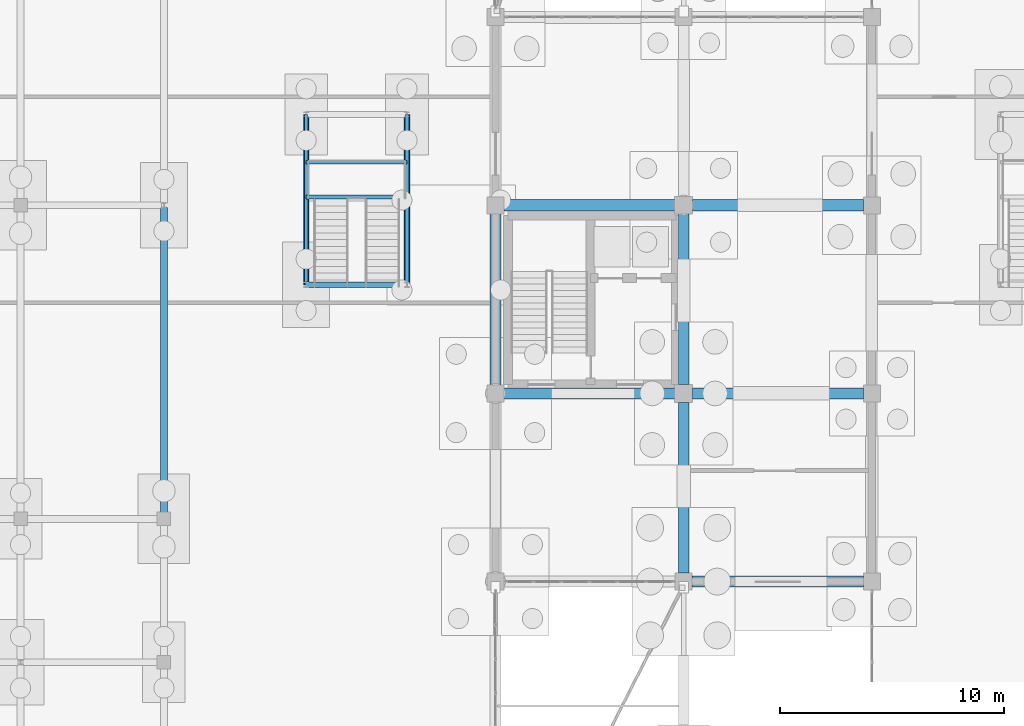
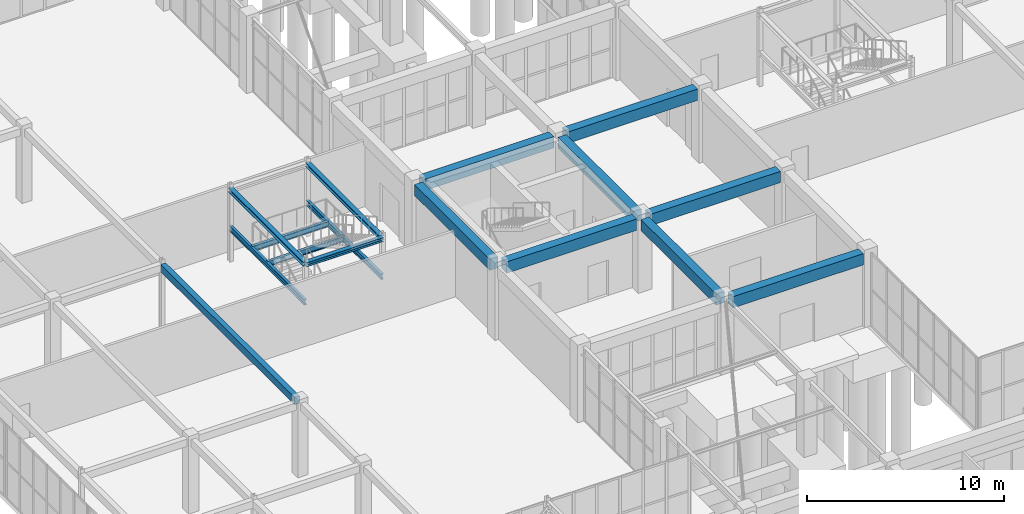
# One storey, part 66 of 192: 16 beams.
"""IFC4 building model written with IfcOpenShell, lengths in metres."""

from ifc_helpers import new_model, si_unit, direction, frame, origin, origin_2d, place, context, subcontext, project, spatial, rectangle, i_section, extrude, material, material_profile, profile_set, type_object, element, save


model = new_model("IFC4")

# Units and contexts
model_context = context("Model", 3, precision=1e-05, world=origin(), true_north=direction((0.0, 1.0)))
body_context = subcontext(model_context, "Body", "Model", "MODEL_VIEW")
ifc_project = project(units=[si_unit("LENGTHUNIT", "METRE"), si_unit("AREAUNIT", "SQUARE_METRE"), si_unit("VOLUMEUNIT", "CUBIC_METRE"), si_unit("PLANEANGLEUNIT", "RADIAN"), si_unit("MASSUNIT", "GRAM", prefix="KILO")], contexts=[model_context])

# Site, building, storey
site_placement = place(None, origin())
site = spatial("IfcSite", under=ifc_project, at=site_placement, CompositionType="ELEMENT")
building_placement = place(site_placement, origin())
building = spatial("IfcBuilding", under=site, at=building_placement, Name="Trelvath General Hospital", CompositionType="ELEMENT")
storey_placement = place(building_placement, origin())
storey = spatial("IfcBuildingStorey", under=building, at=storey_placement, Name="L00", CompositionType="ELEMENT", Elevation=0.0)

# Beams
ifc_material_1 = material(Name="Concrete C35/45", Category="concrete")
ifc_material_profile_1 = material_profile(ifc_material_1, rectangle(XDim=0.300048828125, YDim=0.449951171875, at=origin_2d()), Name="RCB300x450")
ifc_profile_set_1 = profile_set([ifc_material_profile_1], Name="Concrete C35/45")
beam_type_1 = type_object("IfcBeamType", Name="Beam RC300x450", PredefinedType="BEAM", material=ifc_profile_set_1)
beam_1_placement = place(storey_placement, frame((60.800048828125, 45.095947265625, 4.3349609375), z_axis=(0.0, 1.0, 0.0), x_axis=(-1.0, 0.0, 0.0)))
element("IfcBeam", 1, at=beam_1_placement, inside=storey, type_object=beam_type_1, Name="Cube Interior Ring Beam CUBE-W-T0 L00", PredefinedType="BEAM", context=body_context, shape_type="SweptSolid", body=[
    extrude(rectangle(XDim=0.300048828125, YDim=0.449951171875, at=origin_2d()), origin(), (0.0, 0.0, 1.0), 13.59814453125),
])
ifc_material_2 = material(Name="Concrete C35/45", Category="concrete")
ifc_material_profile_2 = material_profile(ifc_material_2, rectangle(XDim=0.47998046875, YDim=0.679931640625, at=origin_2d()), Name="RCB480x680")
ifc_profile_set_2 = profile_set([ifc_material_profile_2], Name="Concrete C35/45")
beam_type_2 = type_object("IfcBeamType", Name="Beam RC480x680", PredefinedType="BEAM", material=ifc_profile_set_2)
beam_2_placement = place(storey_placement, frame((75.60009765625, 50.77490234375, 4.179931640625), z_axis=(0.0, 1.0, 0.0), x_axis=(-1.0, 0.0, 0.0)))
element("IfcBeam", 2, at=beam_2_placement, inside=storey, type_object=beam_type_2, Name="Grid Beam BY-009G", PredefinedType="BEAM", context=body_context, shape_type="SweptSolid", body=[
    extrude(rectangle(XDim=0.47998046875, YDim=0.679931640625, at=origin_2d()), origin(), (0.0, 0.0, 1.0), 7.650146484375),
])
beam_3_placement = place(storey_placement, frame((84.0, 42.375, 4.179931640625), z_axis=(0.0, 1.0, 0.0), x_axis=(-1.0, 0.0, 0.0)))
element("IfcBeam", 3, at=beam_3_placement, inside=storey, type_object=beam_type_2, Name="Grid Beam BY-010F", PredefinedType="BEAM", context=body_context, shape_type="SweptSolid", body=[
    extrude(rectangle(XDim=0.47998046875, YDim=0.679931640625, at=origin_2d()), origin(), (0.0, 0.0, 1.0), 7.6298828125),
])
beam_4_placement = place(storey_placement, frame((84.0, 50.794921875, 4.179931640625), z_axis=(0.0, 1.0, 0.0), x_axis=(-1.0, 0.0, 0.0)))
element("IfcBeam", 4, at=beam_4_placement, inside=storey, type_object=beam_type_2, Name="Grid Beam BY-010G", PredefinedType="BEAM", context=body_context, shape_type="SweptSolid", body=[
    extrude(rectangle(XDim=0.47998046875, YDim=0.679931640625, at=origin_2d()), origin(), (0.0, 0.0, 1.0), 7.610107421875),
])
ifc_material_3 = material(Name="Concrete C35/45", Category="concrete")
ifc_material_profile_3 = material_profile(ifc_material_3, rectangle(XDim=0.5, YDim=0.699951171875, at=origin_2d()), Name="RCB500x700")
ifc_profile_set_3 = profile_set([ifc_material_profile_3], Name="Concrete C35/45")
beam_type_3 = type_object("IfcBeamType", Name="Beam RC500x700", PredefinedType="BEAM", material=ifc_profile_set_3)
for number, where, z_axis, x_axis, name in (
    (5, (75.97509765625, 50.39990234375, 4.169921875), (1.0, 0.0, 0.0), (0.0, 1.0, 0.0), "Grid Beam BX-009G"),
    (6, (75.97509765625, 58.800048828125, 4.169921875), (1.0, 0.0, 0.0), (0.0, 1.0, 0.0), "Grid Beam BX-009H"),
):
    element("IfcBeam", number, at=place(storey_placement, frame(where, z_axis=z_axis, x_axis=x_axis)), inside=storey, type_object=beam_type_3, Name=name, PredefinedType="BEAM", context=body_context, shape_type="SweptSolid", body=[
        extrude(rectangle(XDim=0.5, YDim=0.699951171875, at=origin_2d()), origin(), (0.0, 0.0, 1.0), 7.6298828125),
    ])
beam_5_placement = place(storey_placement, frame((84.375, 42.0, 4.169921875), z_axis=(1.0, 0.0, 0.0), x_axis=(0.0, 1.0, 0.0)))
element("IfcBeam", 7, at=beam_5_placement, inside=storey, type_object=beam_type_3, Name="Grid Beam BX-010F", PredefinedType="BEAM", context=body_context, shape_type="SweptSolid", body=[
    extrude(rectangle(XDim=0.5, YDim=0.699951171875, at=origin_2d()), origin(), (0.0, 0.0, 1.0), 7.64990234375),
])
for number, where, z_axis, x_axis, name in (
    (8, (84.39501953125, 50.39990234375, 4.169921875), (1.0, 0.0, 0.0), (0.0, 1.0, 0.0), "Grid Beam BX-010G"),
    (9, (84.39501953125, 58.800048828125, 4.169921875), (1.0, 0.0, 0.0), (0.0, 1.0, 0.0), "Grid Beam BX-010H"),
):
    element("IfcBeam", number, at=place(storey_placement, frame(where, z_axis=z_axis, x_axis=x_axis)), inside=storey, type_object=beam_type_3, Name=name, PredefinedType="BEAM", context=body_context, shape_type="SweptSolid", body=[
        extrude(rectangle(XDim=0.5, YDim=0.699951171875, at=origin_2d()), origin(), (0.0, 0.0, 1.0), 7.6298828125),
    ])
ifc_material_4 = material(Name="Steel S355", Category="steel")
ifc_material_profile_4 = material_profile(ifc_material_4, i_section(OverallWidth=0.260009765625, OverallDepth=0.25, WebThickness=0.007568359375, FlangeThickness=0.012451171875, at=origin_2d()), Name="HEA260")
ifc_profile_set_4 = profile_set([ifc_material_profile_4], Name="Steel S355")
beam_type_4 = type_object("IfcBeamType", Name="RingBeam HEA260", PredefinedType="BEAM", material=ifc_profile_set_4)
beam_6_placement = place(storey_placement, frame((67.14990234375, 55.25, 4.4150390625), z_axis=(1.0, 0.0, 0.0), x_axis=(0.0, 1.0, 0.0)))
element("IfcBeam", 10, at=beam_6_placement, inside=storey, type_object=beam_type_4, Name="Atrium Ring Beam CUBE-W S L00", PredefinedType="BEAM", context=body_context, shape_type="SweptSolid", body=[
    extrude(i_section(OverallWidth=0.260009765625, OverallDepth=0.25, WebThickness=0.007568359375, FlangeThickness=0.012451171875, at=origin_2d()), origin(), (0.0, 0.0, 1.0), 4.5),
])
for number, where, z_axis, x_axis, name in (
    (11, (67.14990234375, 55.25, 4.4150390625), (0.0, 1.0, 0.0), (-1.0, 0.0, 0.0), "Atrium Ring Beam CUBE-W W L00"),
    (12, (71.64990234375, 55.25, 4.4150390625), (0.0, 1.0, 0.0), (-1.0, 0.0, 0.0), "Atrium Ring Beam CUBE-W E L00"),
):
    element("IfcBeam", number, at=place(storey_placement, frame(where, z_axis=z_axis, x_axis=x_axis)), inside=storey, type_object=beam_type_4, Name=name, PredefinedType="BEAM", context=body_context, shape_type="SweptSolid", body=[
        extrude(i_section(OverallWidth=0.260009765625, OverallDepth=0.25, WebThickness=0.007568359375, FlangeThickness=0.012451171875, at=origin_2d()), origin(), (0.0, 0.0, 1.0), 7.60009765625),
    ])
ifc_material_5 = material(Name="Steel S355", Category="steel")
ifc_material_profile_5 = material_profile(ifc_material_5, i_section(OverallWidth=0.159912109375, OverallDepth=0.330078125, WebThickness=0.007568359375, FlangeThickness=0.011474609375, at=origin_2d()), Name="IPE330")
ifc_profile_set_5 = profile_set([ifc_material_profile_5], Name="Steel S355")
beam_type_5 = type_object("IfcBeamType", Name="StairLandingBeam IPE330", PredefinedType="BEAM", material=ifc_profile_set_5)
for number, where, z_axis, x_axis, name in (
    (13, (67.14990234375, 55.25, 2.034912109375), (0.0, 1.0, 0.0), (-1.0, 0.0, 0.0), "Cube Stair Stringer Beam CUBE-W W L00"),
    (14, (71.64990234375, 55.25, 2.034912109375), (0.0, 1.0, 0.0), (-1.0, 0.0, 0.0), "Cube Stair Stringer Beam CUBE-W E L00"),
):
    element("IfcBeam", number, at=place(storey_placement, frame(where, z_axis=z_axis, x_axis=x_axis)), inside=storey, type_object=beam_type_5, Name=name, PredefinedType="BEAM", context=body_context, shape_type="SweptSolid", body=[
        extrude(i_section(OverallWidth=0.159912109375, OverallDepth=0.330078125, WebThickness=0.007568359375, FlangeThickness=0.011474609375, at=origin_2d()), origin(), (0.0, 0.0, 1.0), 7.60009765625),
    ])
for number, where, z_axis, x_axis, name in (
    (15, (67.14990234375, 59.169921875, 2.034912109375), (1.0, 0.0, 0.0), (0.0, 1.0, 0.0), "Cube Landing Cross Beam CUBE-W S L00"),
    (16, (67.14990234375, 60.719970703125, 2.034912109375), (1.0, 0.0, 0.0), (0.0, 1.0, 0.0), "Cube Landing Cross Beam CUBE-W N L00"),
):
    element("IfcBeam", number, at=place(storey_placement, frame(where, z_axis=z_axis, x_axis=x_axis)), inside=storey, type_object=beam_type_5, Name=name, PredefinedType="BEAM", context=body_context, shape_type="SweptSolid", body=[
        extrude(i_section(OverallWidth=0.159912109375, OverallDepth=0.330078125, WebThickness=0.007568359375, FlangeThickness=0.011474609375, at=origin_2d()), origin(), (0.0, 0.0, 1.0), 4.5),
    ])

save(model, "model.ifc")
